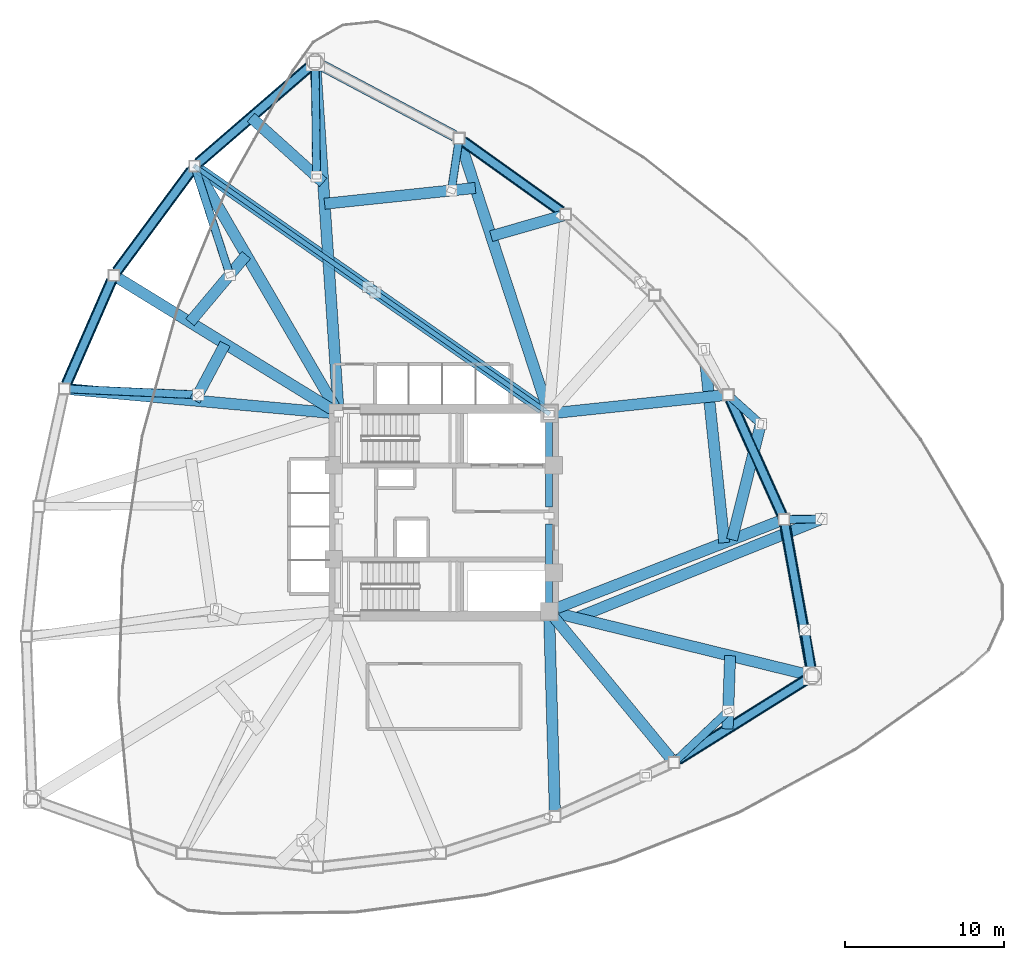
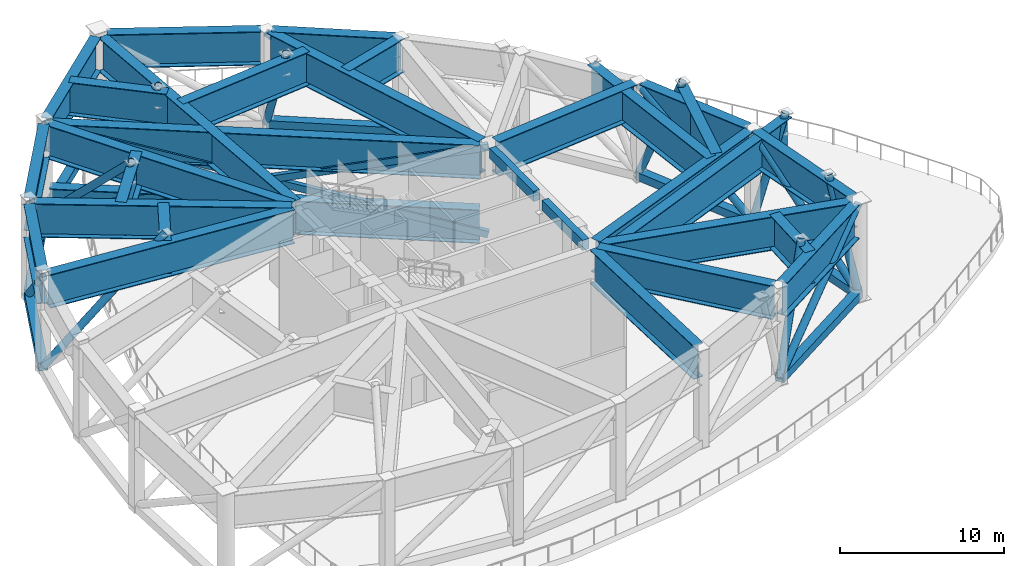
# One storey, part 2 of 8: 31 beams, 25 members.
"""IFC4 building model written with IfcOpenShell, lengths in metres."""

from ifc_helpers import new_model, si_unit, direction, frame, origin, origin_2d, place, context, subcontext, project, spatial, rectangle, hollow_rectangle, hollow_circle, i_section, extrude, material, material_profile, profile_set, type_object, element, save


model = new_model("IFC4")

# Units and contexts
model_context = context("Model", 3, precision=1e-05, world=origin(), true_north=direction((0.0, 1.0)))
body_context = subcontext(model_context, "Body", "Model", "MODEL_VIEW")
ifc_project = project(units=[si_unit("LENGTHUNIT", "METRE"), si_unit("AREAUNIT", "SQUARE_METRE"), si_unit("VOLUMEUNIT", "CUBIC_METRE"), si_unit("PLANEANGLEUNIT", "RADIAN"), si_unit("MASSUNIT", "GRAM", prefix="KILO")], contexts=[model_context])

# Site, building, storey
site_placement = place(None, origin())
site = spatial("IfcSite", under=ifc_project, at=site_placement, CompositionType="ELEMENT")
building_placement = place(site_placement, origin())
building = spatial("IfcBuilding", under=site, at=building_placement, Name="Tavelor Broadcast Tower", CompositionType="ELEMENT")
storey_placement = place(building_placement, frame((0.0, 0.0, 102.800048828125)))
storey = spatial("IfcBuildingStorey", under=building, at=storey_placement, Name="L24", CompositionType="ELEMENT", Elevation=102.800048828125)

# Beams
ifc_material_1 = material(Name="Concrete C40/50", Category="concrete")
ifc_material_profile_1 = material_profile(ifc_material_1, rectangle(XDim=0.449951171875, YDim=0.75, at=origin_2d()), Name="RC 450x750")
ifc_profile_set_1 = profile_set([ifc_material_profile_1], Name="Concrete C40/50")
beam_type_1 = type_object("IfcBeamType", Name="Basement Core Trim Beam 450x750", PredefinedType="BEAM", material=ifc_profile_set_1)
beam_1_placement = place(storey_placement, frame((56.60009765625, 45.327880859375, 6.925048828125), z_axis=(0.0, 1.0, 0.0), x_axis=(-1.0, 0.0, 0.0)))
element("IfcBeam", 1, at=beam_1_placement, inside=storey, type_object=beam_type_1, Name="L24 Core East-N Tie Girder", PredefinedType="BEAM", context=body_context, shape_type="SweptSolid", body=[
    extrude(rectangle(XDim=0.449951171875, YDim=0.75, at=origin_2d()), origin(), (0.0, 0.0, 1.0), 5.34423828125),
])
beam_2_placement = place(storey_placement, frame((56.60009765625, 39.327880859375, 6.925048828125), z_axis=(0.0, 1.0, 0.0), x_axis=(-1.0, 0.0, 0.0)))
element("IfcBeam", 2, at=beam_2_placement, inside=storey, type_object=beam_type_1, Name="L24 Core East-S Tie Girder", PredefinedType="BEAM", context=body_context, shape_type="SweptSolid", body=[
    extrude(rectangle(XDim=0.449951171875, YDim=0.75, at=origin_2d()), origin(), (0.0, 0.0, 1.0), 4.944091796875),
])
ifc_material_2 = material(Name="Steel S460", Category="steel")
ifc_material_profile_2 = material_profile(ifc_material_2, i_section(OverallWidth=0.699951171875, OverallDepth=2.5, WebThickness=0.031982421875, FlangeThickness=0.052001953125, at=origin_2d()), Name="PG 2500x700")
ifc_profile_set_2 = profile_set([ifc_material_profile_2], Name="Steel S460")
beam_type_2 = type_object("IfcBeamType", Name="Opposite Slide Transfer Girder HEB900", PredefinedType="BEAM", material=ifc_profile_set_2)
beam_3_placement = place(storey_placement, frame((41.535400390625, 72.931396484375, 6.050048828125), z_axis=(-0.756652037371, -0.653817783746, 0.0), x_axis=(0.653817783746, -0.756652037371, 0.0)))
element("IfcBeam", 3, at=beam_3_placement, inside=storey, type_object=beam_type_2, Name="L24 Framed-Tube Ring Spandrel 01", PredefinedType="BEAM", context=body_context, shape_type="SweptSolid", body=[
    extrude(i_section(OverallWidth=0.699951171875, OverallDepth=2.5, WebThickness=0.031982421875, FlangeThickness=0.052001953125, at=origin_2d()), origin(), (0.0, 0.0, 1.0), 9.15234375),
])
beam_4_placement = place(storey_placement, frame((34.156494140625, 66.45751953125, 6.050048828125), z_axis=(-0.59411824878, -0.804377713805, 0.0), x_axis=(0.804377713805, -0.59411824878, 0.0)))
element("IfcBeam", 4, at=beam_4_placement, inside=storey, type_object=beam_type_2, Name="L24 Framed-Tube Ring Spandrel 02", PredefinedType="BEAM", context=body_context, shape_type="SweptSolid", body=[
    extrude(i_section(OverallWidth=0.699951171875, OverallDepth=2.5, WebThickness=0.031982421875, FlangeThickness=0.052001953125, at=origin_2d()), origin(), (0.0, 0.0, 1.0), 7.8515625),
])
beam_5_placement = place(storey_placement, frame((29.157958984375, 59.5634765625, 6.050048828125), z_axis=(-0.399859236649, -0.916576560287, 0.0), x_axis=(0.916576560287, -0.399859236649, 0.0)))
element("IfcBeam", 5, at=beam_5_placement, inside=storey, type_object=beam_type_2, Name="L24 Framed-Tube Ring Spandrel 03", PredefinedType="BEAM", context=body_context, shape_type="SweptSolid", body=[
    extrude(i_section(OverallWidth=0.699951171875, OverallDepth=2.5, WebThickness=0.031982421875, FlangeThickness=0.052001953125, at=origin_2d()), origin(), (0.0, 0.0, 1.0), 7.088623046875),
])
beam_6_placement = place(storey_placement, frame((64.728271484375, 29.493408203125, 6.050048828125), z_axis=(0.847666386228, 0.530529638813, 0.0), x_axis=(-0.530529638813, 0.847666386228, 0.0)))
element("IfcBeam", 6, at=beam_6_placement, inside=storey, type_object=beam_type_2, Name="L24 Framed-Tube Ring Spandrel 12", PredefinedType="BEAM", context=body_context, shape_type="SweptSolid", body=[
    extrude(i_section(OverallWidth=0.699951171875, OverallDepth=2.5, WebThickness=0.031982421875, FlangeThickness=0.052001953125, at=origin_2d()), origin(), (0.0, 0.0, 1.0), 9.385009765625),
])
beam_7_placement = place(storey_placement, frame((73.02685546875, 35.248046875, 6.050048828125), z_axis=(-0.177746542691, 0.984076301189, 0.0), x_axis=(-0.984076301189, -0.177746542691, 0.0)))
element("IfcBeam", 7, at=beam_7_placement, inside=storey, type_object=beam_type_2, Name="L24 Framed-Tube Ring Spandrel 13", PredefinedType="BEAM", context=body_context, shape_type="SweptSolid", body=[
    extrude(i_section(OverallWidth=0.699951171875, OverallDepth=2.5, WebThickness=0.031982421875, FlangeThickness=0.052001953125, at=origin_2d()), origin(), (0.0, 0.0, 1.0), 9.13134765625),
])
beam_8_placement = place(storey_placement, frame((71.206787109375, 44.87109375, 6.050048828125), z_axis=(-0.408951132019, 0.912556284084, 0.0), x_axis=(-0.912556284084, -0.408951132019, 0.0)))
element("IfcBeam", 8, at=beam_8_placement, inside=storey, type_object=beam_type_2, Name="L24 Framed-Tube Ring Spandrel 14", PredefinedType="BEAM", context=body_context, shape_type="SweptSolid", body=[
    extrude(i_section(OverallWidth=0.699951171875, OverallDepth=2.5, WebThickness=0.031982421875, FlangeThickness=0.052001953125, at=origin_2d()), origin(), (0.0, 0.0, 1.0), 7.895263671875),
])
beam_9_placement = place(storey_placement, frame((57.361572265625, 63.893310546875, 6.050048828125), z_axis=(-0.813492458128, 0.581575464208, 0.0), x_axis=(-0.581575464208, -0.813492458128, 0.0)))
element("IfcBeam", 9, at=beam_9_placement, inside=storey, type_object=beam_type_2, Name="L24 Framed-Tube Ring Spandrel 17", PredefinedType="BEAM", context=body_context, shape_type="SweptSolid", body=[
    extrude(i_section(OverallWidth=0.699951171875, OverallDepth=2.5, WebThickness=0.031982421875, FlangeThickness=0.052001953125, at=origin_2d()), origin(), (0.0, 0.0, 1.0), 7.531005859375),
])
beam_10_placement = place(storey_placement, frame((50.6650390625, 68.626220703125, 6.050048828125), z_axis=(-0.883288784051, 0.468829312192, 0.0), x_axis=(-0.468829312192, -0.883288784051, 0.0)))
element("IfcBeam", 10, at=beam_10_placement, inside=storey, type_object=beam_type_2, Name="L24 Framed-Tube Ring Spandrel 18", PredefinedType="BEAM", context=body_context, shape_type="SweptSolid", body=[
    extrude(i_section(OverallWidth=0.699951171875, OverallDepth=2.5, WebThickness=0.031982421875, FlangeThickness=0.052001953125, at=origin_2d()), origin(), (0.0, 0.0, 1.0), 9.384765625),
])
beam_11_placement = place(storey_placement, frame((43.36474609375, 51.726806640625, 6.050048828125), z_axis=(-0.066782727419, 0.997767541724, 0.0), x_axis=(-0.997767541724, -0.066782727419, 0.0)))
element("IfcBeam", 11, at=beam_11_placement, inside=storey, type_object=beam_type_2, Name="L24 Radial Primary Floor Girder 01", PredefinedType="BEAM", context=body_context, shape_type="SweptSolid", body=[
    extrude(i_section(OverallWidth=0.699951171875, OverallDepth=2.5, WebThickness=0.031982421875, FlangeThickness=0.052001953125, at=origin_2d()), origin(), (0.0, 0.0, 1.0), 21.075439453125),
])
beam_12_placement = place(storey_placement, frame((43.13427734375, 51.65625, 6.050048828125), z_axis=(-0.503292320279, 0.864116219237, 0.0), x_axis=(-0.864116219237, -0.503292320279, 0.0)))
element("IfcBeam", 12, at=beam_12_placement, inside=storey, type_object=beam_type_2, Name="L24 Radial Primary Floor Girder 02", PredefinedType="BEAM", context=body_context, shape_type="SweptSolid", body=[
    extrude(i_section(OverallWidth=0.699951171875, OverallDepth=2.5, WebThickness=0.031982421875, FlangeThickness=0.052001953125, at=origin_2d()), origin(), (0.0, 0.0, 1.0), 17.105712890625),
])
beam_13_placement = place(storey_placement, frame((42.9501953125, 51.4765625, 6.050048828125), z_axis=(-0.851937509834, 0.523643465859, 0.0), x_axis=(-0.523643465859, -0.851937509834, 0.0)))
element("IfcBeam", 13, at=beam_13_placement, inside=storey, type_object=beam_type_2, Name="L24 Radial Primary Floor Girder 03", PredefinedType="BEAM", context=body_context, shape_type="SweptSolid", body=[
    extrude(i_section(OverallWidth=0.699951171875, OverallDepth=2.5, WebThickness=0.031982421875, FlangeThickness=0.052001953125, at=origin_2d()), origin(), (0.0, 0.0, 1.0), 15.69580078125),
])
beam_14_placement = place(storey_placement, frame((42.874267578125, 51.24755859375, 6.050048828125), z_axis=(-0.99592702313, 0.090162989073, 0.0), x_axis=(-0.090162989073, -0.99592702313, 0.0)))
element("IfcBeam", 14, at=beam_14_placement, inside=storey, type_object=beam_type_2, Name="L24 Radial Primary Floor Girder 04", PredefinedType="BEAM", context=body_context, shape_type="SweptSolid", body=[
    extrude(i_section(OverallWidth=0.699951171875, OverallDepth=2.5, WebThickness=0.031982421875, FlangeThickness=0.052001953125, at=origin_2d()), origin(), (0.0, 0.0, 1.0), 16.417236328125),
])
beam_15_placement = place(storey_placement, frame((56.615478515625, 38.272216796875, 6.050048828125), z_axis=(0.029126279866, -0.999575739912, 0.0), x_axis=(0.999575739912, 0.029126279866, 0.0)))
element("IfcBeam", 15, at=beam_15_placement, inside=storey, type_object=beam_type_2, Name="L24 Radial Primary Floor Girder 11", PredefinedType="BEAM", context=body_context, shape_type="SweptSolid", body=[
    extrude(i_section(OverallWidth=0.699951171875, OverallDepth=2.5, WebThickness=0.031982421875, FlangeThickness=0.052001953125, at=origin_2d()), origin(), (0.0, 0.0, 1.0), 12.02001953125),
])
beam_16_placement = place(storey_placement, frame((56.9365234375, 38.39306640625, 6.050048828125), z_axis=(0.637277760564, -0.770634190709, 0.0), x_axis=(0.770634190709, 0.637277760564, 0.0)))
element("IfcBeam", 16, at=beam_16_placement, inside=storey, type_object=beam_type_2, Name="L24 Radial Primary Floor Girder 12", PredefinedType="BEAM", context=body_context, shape_type="SweptSolid", body=[
    extrude(i_section(OverallWidth=0.699951171875, OverallDepth=2.5, WebThickness=0.031982421875, FlangeThickness=0.052001953125, at=origin_2d()), origin(), (0.0, 0.0, 1.0), 11.44384765625),
])
beam_17_placement = place(storey_placement, frame((57.11279296875, 38.674072265625, 6.050048828125), z_axis=(0.971151145926, -0.238464780979, 0.0), x_axis=(0.238464780979, 0.971151145926, 0.0)))
element("IfcBeam", 17, at=beam_17_placement, inside=storey, type_object=beam_type_2, Name="L24 Radial Primary Floor Girder 13", PredefinedType="BEAM", context=body_context, shape_type="SweptSolid", body=[
    extrude(i_section(OverallWidth=0.699951171875, OverallDepth=2.5, WebThickness=0.031982421875, FlangeThickness=0.052001953125, at=origin_2d()), origin(), (0.0, 0.0, 1.0), 15.96826171875),
])
beam_18_placement = place(storey_placement, frame((57.091796875, 38.9921875, 6.050048828125), z_axis=(0.931341899941, 0.36414593972, 0.0), x_axis=(-0.36414593972, 0.931341899941, 0.0)))
element("IfcBeam", 18, at=beam_18_placement, inside=storey, type_object=beam_type_2, Name="L24 Radial Primary Floor Girder 14", PredefinedType="BEAM", context=body_context, shape_type="SweptSolid", body=[
    extrude(i_section(OverallWidth=0.699951171875, OverallDepth=2.5, WebThickness=0.031982421875, FlangeThickness=0.052001953125, at=origin_2d()), origin(), (0.0, 0.0, 1.0), 14.967041015625),
])
beam_19_placement = place(storey_placement, frame((57.125, 51.255126953125, 6.050048828125), z_axis=(0.994510577777, 0.104636086941, 0.0), x_axis=(-0.104636086941, 0.994510577777, 0.0)))
element("IfcBeam", 19, at=beam_19_placement, inside=storey, type_object=beam_type_2, Name="L24 Radial Primary Floor Girder 15", PredefinedType="BEAM", context=body_context, shape_type="SweptSolid", body=[
    extrude(i_section(OverallWidth=0.699951171875, OverallDepth=2.5, WebThickness=0.031982421875, FlangeThickness=0.052001953125, at=origin_2d()), origin(), (0.0, 0.0, 1.0), 10.43896484375),
])
beam_20_placement = place(storey_placement, frame((56.43603515625, 51.701904296875, 6.050048828125), z_axis=(-0.310367170997, 0.950616757251, 0.0), x_axis=(-0.950616757251, -0.310367170997, 0.0)))
element("IfcBeam", 20, at=beam_20_placement, inside=storey, type_object=beam_type_2, Name="L24 Radial Primary Floor Girder 18", PredefinedType="BEAM", context=body_context, shape_type="SweptSolid", body=[
    extrude(i_section(OverallWidth=0.699951171875, OverallDepth=2.5, WebThickness=0.031982421875, FlangeThickness=0.052001953125, at=origin_2d()), origin(), (0.0, 0.0, 1.0), 17.3017578125),
])
beam_21_placement = place(storey_placement, frame((42.42919921875, 65.70361328125, 6.050048828125), z_axis=(-0.743152854728, 0.669121688865, 0.0), x_axis=(-0.669121688865, -0.743152854728, 0.0)))
element("IfcBeam", 21, at=beam_21_placement, inside=storey, type_object=beam_type_2, Name="L24 Transfer Header Girder 01", PredefinedType="BEAM", context=body_context, shape_type="SweptSolid", body=[
    extrude(i_section(OverallWidth=0.699951171875, OverallDepth=2.5, WebThickness=0.031982421875, FlangeThickness=0.052001953125, at=origin_2d()), origin(), (0.0, 0.0, 1.0), 6.100830078125),
])
beam_22_placement = place(storey_placement, frame((34.0703125, 56.9345703125, 6.050048828125), z_axis=(0.64280893078, 0.766026552092, 0.0), x_axis=(-0.766026552092, 0.64280893078, 0.0)))
element("IfcBeam", 22, at=beam_22_placement, inside=storey, type_object=beam_type_2, Name="L24 Transfer Header Girder 02", PredefinedType="BEAM", context=body_context, shape_type="SweptSolid", body=[
    extrude(i_section(OverallWidth=0.699951171875, OverallDepth=2.5, WebThickness=0.031982421875, FlangeThickness=0.052001953125, at=origin_2d()), origin(), (0.0, 0.0, 1.0), 5.500244140625),
])
beam_23_placement = place(storey_placement, frame((34.382080078125, 52.016357421875, 6.050048828125), z_axis=(0.469463433508, 0.882951915225, 0.0), x_axis=(-0.882951915225, 0.469463433508, 0.0)))
element("IfcBeam", 23, at=beam_23_placement, inside=storey, type_object=beam_type_2, Name="L24 Transfer Header Girder 03", PredefinedType="BEAM", context=body_context, shape_type="SweptSolid", body=[
    extrude(i_section(OverallWidth=0.699951171875, OverallDepth=2.5, WebThickness=0.031982421875, FlangeThickness=0.052001953125, at=origin_2d()), origin(), (0.0, 0.0, 1.0), 4.034423828125),
])
beam_24_placement = place(storey_placement, frame((67.803466796875, 31.41796875, 6.050048828125), z_axis=(0.034859429991, 0.999392225375, 0.0), x_axis=(-0.999392225375, 0.034859429991, 0.0)))
element("IfcBeam", 24, at=beam_24_placement, inside=storey, type_object=beam_type_2, Name="L24 Transfer Header Girder 11", PredefinedType="BEAM", context=body_context, shape_type="SweptSolid", body=[
    extrude(i_section(OverallWidth=0.699951171875, OverallDepth=2.5, WebThickness=0.031982421875, FlangeThickness=0.052001953125, at=origin_2d()), origin(), (0.0, 0.0, 1.0), 4.59423828125),
])
beam_25_placement = place(storey_placement, frame((68.07666015625, 43.287109375, 6.050048828125), z_axis=(0.241928085432, 0.970294182956, 0.0), x_axis=(-0.970294182956, 0.241928085432, 0.0)))
element("IfcBeam", 25, at=beam_25_placement, inside=storey, type_object=beam_type_2, Name="L24 Cantilever Transfer Girder 14", PredefinedType="BEAM", context=body_context, shape_type="SweptSolid", body=[
    extrude(i_section(OverallWidth=0.699951171875, OverallDepth=2.5, WebThickness=0.031982421875, FlangeThickness=0.052001953125, at=origin_2d()), origin(), (0.0, 0.0, 1.0), 7.659423828125),
])
beam_26_placement = place(storey_placement, frame((52.96533203125, 62.332275390625, 6.050048828125), z_axis=(0.961271175296, 0.275604295224, 0.0), x_axis=(-0.275604295224, 0.961271175296, 0.0)))
element("IfcBeam", 26, at=beam_26_placement, inside=storey, type_object=beam_type_2, Name="L24 Transfer Header Girder 17", PredefinedType="BEAM", context=body_context, shape_type="SweptSolid", body=[
    extrude(i_section(OverallWidth=0.699951171875, OverallDepth=2.5, WebThickness=0.031982421875, FlangeThickness=0.052001953125, at=origin_2d()), origin(), (0.0, 0.0, 1.0), 4.855224609375),
])
ifc_material_profile_3 = material_profile(ifc_material_2, i_section(OverallWidth=0.699951171875, OverallDepth=2.5, WebThickness=0.031982421875, FlangeThickness=0.052001953125, at=origin_2d()), Name="PG 2500x700")
ifc_profile_set_3 = profile_set([ifc_material_profile_3], Name="Steel S460")
beam_type_3 = type_object("IfcBeamType", Name="Podium Studio Transfer Truss Chord HEB1000", PredefinedType="BEAM", material=ifc_profile_set_3)
beam_27_placement = place(storey_placement, frame((58.32373046875, 38.376708984375, 6.050048828125), z_axis=(0.927182512536, 0.374609915042, 0.0), x_axis=(-0.374609915042, 0.927182512536, 0.0)))
element("IfcBeam", 27, at=beam_27_placement, inside=storey, type_object=beam_type_3, Name="L24 Cantilever Transfer Girder 13", PredefinedType="BEAM", context=body_context, shape_type="SweptSolid", body=[
    extrude(i_section(OverallWidth=0.699951171875, OverallDepth=2.5, WebThickness=0.031982421875, FlangeThickness=0.052001953125, at=origin_2d()), origin(), (0.0, 0.0, 1.0), 16.738037109375),
])
beam_28_placement = place(storey_placement, frame((67.5966796875, 43.099609375, 6.050048828125), z_axis=(-0.104533830566, 0.994521331228, 0.0), x_axis=(-0.994521331228, -0.104533830566, 0.0)))
element("IfcBeam", 28, at=beam_28_placement, inside=storey, type_object=beam_type_3, Name="L24 Cantilever Transfer Girder 15", PredefinedType="BEAM", context=body_context, shape_type="SweptSolid", body=[
    extrude(i_section(OverallWidth=0.699951171875, OverallDepth=2.5, WebThickness=0.031982421875, FlangeThickness=0.052001953125, at=origin_2d()), origin(), (0.0, 0.0, 1.0), 12.3759765625),
])
beam_29_placement = place(storey_placement, frame((42.518798828125, 64.3662109375, 6.050048828125), z_axis=(0.994521196339, 0.104535113874, 0.0), x_axis=(-0.104535113874, 0.994521196339, 0.0)))
element("IfcBeam", 29, at=beam_29_placement, inside=storey, type_object=beam_type_3, Name="L24 Transfer Header Girder 18", PredefinedType="BEAM", context=body_context, shape_type="SweptSolid", body=[
    extrude(i_section(OverallWidth=0.699951171875, OverallDepth=2.5, WebThickness=0.031982421875, FlangeThickness=0.052001953125, at=origin_2d()), origin(), (0.0, 0.0, 1.0), 9.510009765625),
])

# Members
ifc_material_profile_4 = material_profile(ifc_material_2, hollow_rectangle(XDim=0.60009765625, YDim=0.60009765625, WallThickness=0.035888671875, at=origin_2d()), Name="SHS 600x600x36")
ifc_profile_set_4 = profile_set([ifc_material_profile_4], Name="Steel S460")
member_type_1 = type_object("IfcMemberType", Name="Wind Floor Belt Truss Chord Member SHS600", PredefinedType="CHORD", material=ifc_profile_set_4)
member_1_placement = place(storey_placement, frame((41.923095703125, 73.266357421875, 0.349853515625), z_axis=(-0.756648422475, -0.653821967179, 0.0), x_axis=(0.653821967179, -0.756648422475, 0.0)))
element("IfcMember", 30, at=member_1_placement, inside=storey, type_object=member_type_1, Name="L24 Belt Truss Lower Chord Member 01", PredefinedType="CHORD", context=body_context, shape_type="SweptSolid", body=[
    extrude(hollow_rectangle(XDim=0.60009765625, YDim=0.60009765625, WallThickness=0.035888671875, at=origin_2d()), origin(), (0.0, 0.0, 1.0), 10.00048828125),
])
member_2_placement = place(storey_placement, frame((34.356201171875, 66.727783203125, 0.349853515625), z_axis=(-0.594113174467, -0.804381461699, 0.0), x_axis=(0.804381461699, -0.594113174467, 0.0)))
element("IfcMember", 31, at=member_2_placement, inside=storey, type_object=member_type_1, Name="L24 Belt Truss Lower Chord Member 02", PredefinedType="CHORD", context=body_context, shape_type="SweptSolid", body=[
    extrude(hollow_rectangle(XDim=0.60009765625, YDim=0.60009765625, WallThickness=0.035888671875, at=origin_2d()), origin(), (0.0, 0.0, 1.0), 8.523681640625),
])
member_3_placement = place(storey_placement, frame((29.292236328125, 59.87158203125, 0.349853515625), z_axis=(-0.39984162919, -0.916584241391, 0.0), x_axis=(0.916584241391, -0.39984162919, 0.0)))
element("IfcMember", 32, at=member_3_placement, inside=storey, type_object=member_type_1, Name="L24 Belt Truss Lower Chord Member 03", PredefinedType="CHORD", context=body_context, shape_type="SweptSolid", body=[
    extrude(hollow_rectangle(XDim=0.60009765625, YDim=0.60009765625, WallThickness=0.035888671875, at=origin_2d()), origin(), (0.0, 0.0, 1.0), 7.7607421875),
])
member_4_placement = place(storey_placement, frame((64.443603515625, 29.31494140625, 0.349853515625), z_axis=(0.847668419443, 0.530526390182, 0.0), x_axis=(-0.530526390182, 0.847668419443, 0.0)))
element("IfcMember", 33, at=member_4_placement, inside=storey, type_object=member_type_1, Name="L24 Belt Truss Lower Chord Member 12", PredefinedType="CHORD", context=body_context, shape_type="SweptSolid", body=[
    extrude(hollow_rectangle(XDim=0.60009765625, YDim=0.60009765625, WallThickness=0.035888671875, at=origin_2d()), origin(), (0.0, 0.0, 1.0), 10.233154296875),
])
member_5_placement = place(storey_placement, frame((73.117919921875, 34.743896484375, 0.349853515625), z_axis=(-0.177752945874, 0.984075144607, 0.0), x_axis=(-0.984075144607, -0.177752945874, 0.0)))
element("IfcMember", 34, at=member_5_placement, inside=storey, type_object=member_type_1, Name="L24 Belt Truss Lower Chord Member 13", PredefinedType="CHORD", context=body_context, shape_type="SweptSolid", body=[
    extrude(hollow_rectangle(XDim=0.60009765625, YDim=0.60009765625, WallThickness=0.035888671875, at=origin_2d()), origin(), (0.0, 0.0, 1.0), 9.979736328125),
])
member_6_placement = place(storey_placement, frame((71.343994140625, 44.564697265625, 0.349853515625), z_axis=(-0.408920885795, 0.912569837963, 0.0), x_axis=(-0.912569837963, -0.408920885795, 0.0)))
element("IfcMember", 35, at=member_6_placement, inside=storey, type_object=member_type_1, Name="L24 Belt Truss Lower Chord Member 14", PredefinedType="CHORD", context=body_context, shape_type="SweptSolid", body=[
    extrude(hollow_rectangle(XDim=0.60009765625, YDim=0.60009765625, WallThickness=0.035888671875, at=origin_2d()), origin(), (0.0, 0.0, 1.0), 8.56689453125),
])
member_7_placement = place(storey_placement, frame((57.634765625, 63.69775390625, 0.349853515625), z_axis=(-0.813477995292, 0.581595693912, 0.0), x_axis=(-0.581595693912, -0.813477995292, 0.0)))
element("IfcMember", 36, at=member_7_placement, inside=storey, type_object=member_type_1, Name="L24 Belt Truss Lower Chord Member 17", PredefinedType="CHORD", context=body_context, shape_type="SweptSolid", body=[
    extrude(hollow_rectangle(XDim=0.60009765625, YDim=0.60009765625, WallThickness=0.035888671875, at=origin_2d()), origin(), (0.0, 0.0, 1.0), 8.202880859375),
])
ifc_material_profile_5 = material_profile(ifc_material_2, hollow_circle(Radius=0.25390625, WallThickness=0.02490234375, at=origin_2d()), Name="CHS 508x25")
ifc_profile_set_5 = profile_set([ifc_material_profile_5], Name="Steel S460")
member_type_2 = type_object("IfcMemberType", Name="Wind Floor Belt Truss Diagonal CHS508", PredefinedType="BRACE", material=ifc_profile_set_5)
member_8_placement = place(storey_placement, frame((41.923095703125, 73.266357421875, 0.349853515625), z_axis=(-0.630059999895, -0.544436565696, 0.553726667649), x_axis=(0.653821967179, -0.756648422475, 0.0)))
element("IfcMember", 37, at=member_8_placement, inside=storey, type_object=member_type_2, Name="L24 Belt Truss Web Diagonal 01", PredefinedType="BRACE", context=body_context, shape_type="SweptSolid", body=[
    extrude(hollow_circle(Radius=0.25390625, WallThickness=0.02490234375, at=origin_2d()), origin(), (0.0, 0.0, 1.0), 12.009765625),
])
member_9_placement = place(storey_placement, frame((34.356201171875, 66.727783203125, 0.349853515625), z_axis=(-0.468412635355, -0.634193040144, 0.615133148897), x_axis=(0.804381461699, -0.594113174467, 0.0)))
element("IfcMember", 38, at=member_9_placement, inside=storey, type_object=member_type_2, Name="L24 Belt Truss Web Diagonal 02", PredefinedType="BRACE", context=body_context, shape_type="SweptSolid", body=[
    extrude(hollow_circle(Radius=0.25390625, WallThickness=0.02490234375, at=origin_2d()), origin(), (0.0, 0.0, 1.0), 10.810791015625),
])
member_10_placement = place(storey_placement, frame((29.292236328125, 59.87158203125, 0.349853515625), z_axis=(-0.303617799658, -0.696003793143, 0.65068806018), x_axis=(0.916584241391, -0.39984162919, 0.0)))
element("IfcMember", 39, at=member_10_placement, inside=storey, type_object=member_type_2, Name="L24 Belt Truss Web Diagonal 03", PredefinedType="BRACE", context=body_context, shape_type="SweptSolid", body=[
    extrude(hollow_circle(Radius=0.25390625, WallThickness=0.02490234375, at=origin_2d()), origin(), (0.0, 0.0, 1.0), 10.22021484375),
])
member_11_placement = place(storey_placement, frame((64.443603515625, 29.31494140625, 0.349853515625), z_axis=(0.710766596205, 0.444844266812, 0.544907720631), x_axis=(-0.530526390182, 0.847668419443, 0.0)))
element("IfcMember", 40, at=member_11_placement, inside=storey, type_object=member_type_2, Name="L24 Belt Truss Web Diagonal 12", PredefinedType="BRACE", context=body_context, shape_type="SweptSolid", body=[
    extrude(hollow_circle(Radius=0.25390625, WallThickness=0.02490234375, at=origin_2d()), origin(), (0.0, 0.0, 1.0), 12.2041015625),
])
member_12_placement = place(storey_placement, frame((73.117919921875, 34.743896484375, 0.349853515625), z_axis=(-0.14791994136, 0.818913784911, 0.554526738607), x_axis=(-0.984075144607, -0.177752945874, 0.0)))
element("IfcMember", 41, at=member_12_placement, inside=storey, type_object=member_type_2, Name="L24 Belt Truss Web Diagonal 13", PredefinedType="BRACE", context=body_context, shape_type="SweptSolid", body=[
    extrude(hollow_circle(Radius=0.25390625, WallThickness=0.02490234375, at=origin_2d()), origin(), (0.0, 0.0, 1.0), 11.992431640625),
])
member_13_placement = place(storey_placement, frame((71.343994140625, 44.564697265625, 0.349853515625), z_axis=(-0.323019607062, 0.720867925105, 0.613194722751), x_axis=(-0.912569837963, -0.408920885795, 0.0)))
element("IfcMember", 42, at=member_13_placement, inside=storey, type_object=member_type_2, Name="L24 Belt Truss Web Diagonal 14", PredefinedType="BRACE", context=body_context, shape_type="SweptSolid", body=[
    extrude(hollow_circle(Radius=0.25390625, WallThickness=0.02490234375, at=origin_2d()), origin(), (0.0, 0.0, 1.0), 10.844970703125),
])
member_14_placement = place(storey_placement, frame((57.634765625, 63.69775390625, 0.349853515625), z_axis=(-0.631904855944, 0.451780066955, 0.629754733318), x_axis=(-0.581595693912, -0.813477995292, 0.0)))
element("IfcMember", 43, at=member_14_placement, inside=storey, type_object=member_type_2, Name="L24 Belt Truss Web Diagonal 17", PredefinedType="BRACE", context=body_context, shape_type="SweptSolid", body=[
    extrude(hollow_circle(Radius=0.25390625, WallThickness=0.02490234375, at=origin_2d()), origin(), (0.0, 0.0, 1.0), 10.559814453125),
])
member_15_placement = place(storey_placement, frame((41.923095703125, 73.266357421875, 0.349853515625), z_axis=(0.00863349336, -0.703952567997, 0.710194511949), x_axis=(0.999924801818, 0.01226338894, 0.0)))
element("IfcMember", 44, at=member_15_placement, inside=storey, type_object=member_type_2, Name="L24 Slide Transfer Raking Strut 01", PredefinedType="BRACE", context=body_context, shape_type="SweptSolid", body=[
    extrude(hollow_circle(Radius=0.25390625, WallThickness=0.02490234375, at=origin_2d()), origin(), (0.0, 0.0, 1.0), 10.20849609375),
])
member_16_placement = place(storey_placement, frame((34.356201171875, 66.727783203125, 0.349853515625), z_axis=(0.216925031733, -0.668712481902, 0.7111730782), x_axis=(0.951203904532, 0.308563011398, 0.0)))
element("IfcMember", 45, at=member_16_placement, inside=storey, type_object=member_type_2, Name="L24 Slide Transfer Raking Strut 02", PredefinedType="BRACE", context=body_context, shape_type="SweptSolid", body=[
    extrude(hollow_circle(Radius=0.25390625, WallThickness=0.02490234375, at=origin_2d()), origin(), (0.0, 0.0, 1.0), 10.1943359375),
])
member_17_placement = place(storey_placement, frame((26.189208984375, 52.75830078125, 0.349853515625), z_axis=(0.75604415702, -0.03416054417, 0.653628556489), x_axis=(0.045137214947, 0.998980796526, 0.0)))
element("IfcMember", 46, at=member_17_placement, inside=storey, type_object=member_type_2, Name="L24 Slide Transfer Raking Strut 03", PredefinedType="BRACE", context=body_context, shape_type="SweptSolid", body=[
    extrude(hollow_circle(Radius=0.25390625, WallThickness=0.02490234375, at=origin_2d()), origin(), (0.0, 0.0, 1.0), 11.092041015625),
])
member_18_placement = place(storey_placement, frame((64.443603515625, 29.31494140625, 0.349853515625), z_axis=(0.393862944115, 0.372784868304, 0.840180589645), x_axis=(-0.687405956224, 0.726273399863, 0.0)))
element("IfcMember", 47, at=member_18_placement, inside=storey, type_object=member_type_2, Name="L24 Slide Transfer Raking Strut 11", PredefinedType="BRACE", context=body_context, shape_type="SweptSolid", body=[
    extrude(hollow_circle(Radius=0.25390625, WallThickness=0.02490234375, at=origin_2d()), origin(), (0.0, 0.0, 1.0), 8.629150390625),
])
member_19_placement = place(storey_placement, frame((73.117919921875, 34.743896484375, 0.349853515625), z_axis=(-0.058748806269, 0.366718865739, 0.928475013812), x_axis=(-0.987409618007, -0.158184216236, 0.0)))
element("IfcMember", 48, at=member_19_placement, inside=storey, type_object=member_type_2, Name="L24 Slide Transfer Raking Strut 12", PredefinedType="BRACE", context=body_context, shape_type="SweptSolid", body=[
    extrude(hollow_circle(Radius=0.25390625, WallThickness=0.02490234375, at=origin_2d()), origin(), (0.0, 0.0, 1.0), 7.80859375),
])
member_20_placement = place(storey_placement, frame((71.343994140625, 44.564697265625, 0.349853515625), z_axis=(0.306207823406, 0.001955472909, 0.951962680472), x_axis=(-0.006385966937, 0.999979609505, 0.0)))
element("IfcMember", 49, at=member_20_placement, inside=storey, type_object=member_type_2, Name="L24 Slide Transfer Raking Strut 13", PredefinedType="BRACE", context=body_context, shape_type="SweptSolid", body=[
    extrude(hollow_circle(Radius=0.25390625, WallThickness=0.02490234375, at=origin_2d()), origin(), (0.0, 0.0, 1.0), 7.615966796875),
])
member_21_placement = place(storey_placement, frame((67.8408203125, 52.382568359375, 0.349853515625), z_axis=(0.263755543918, -0.2370871727, 0.934998762349), x_axis=(0.668508446596, 0.743704549421, 0.0)))
element("IfcMember", 50, at=member_21_placement, inside=storey, type_object=member_type_2, Name="L24 Slide Transfer Raking Strut 14", PredefinedType="BRACE", context=body_context, shape_type="SweptSolid", body=[
    extrude(hollow_circle(Radius=0.25390625, WallThickness=0.02490234375, at=origin_2d()), origin(), (0.0, 0.0, 1.0), 7.75390625),
])
member_22_placement = place(storey_placement, frame((50.9619140625, 68.468505859375, 0.349853515625), z_axis=(-0.061442101893, -0.409991960713, 0.910017285696), x_axis=(0.988956404852, -0.148206711393, 0.0)))
element("IfcMember", 51, at=member_22_placement, inside=storey, type_object=member_type_2, Name="L24 Slide Transfer Raking Strut 18", PredefinedType="BRACE", context=body_context, shape_type="SweptSolid", body=[
    extrude(hollow_circle(Radius=0.25390625, WallThickness=0.02490234375, at=origin_2d()), origin(), (0.0, 0.0, 1.0), 7.966796875),
])

# Beams
ifc_material_profile_6 = material_profile(ifc_material_2, i_section(OverallWidth=0.699951171875, OverallDepth=2.5, WebThickness=0.031982421875, FlangeThickness=0.052001953125, at=origin_2d()), Name="PG 2500x700")
ifc_profile_set_6 = profile_set([ifc_material_profile_6], Name="Steel S460")
beam_type_4 = type_object("IfcBeamType", Name="Wind Floor Outrigger Truss Chord HEB1000", PredefinedType="BEAM", material=ifc_profile_set_6)
for number, where, z_axis, x_axis, name in (
    (52, (56.1669921875, 51.502197265625, 6.050048828125), (-0.81997495952, 0.57239939357, 0.0), (-0.57239939357, -0.81997495952, 0.0), "L24 Outrigger Truss Top Chord 2"),
    (53, (56.1669921875, 51.502197265625, 1.25), (-0.81997495952, 0.57239939357, 0.0), (-0.57239939357, -0.81997495952, 0.0), "L24 Outrigger Truss Bottom Chord 2"),
):
    element("IfcBeam", number, at=place(storey_placement, frame(where, z_axis=z_axis, x_axis=x_axis)), inside=storey, type_object=beam_type_4, Name=name, PredefinedType="BEAM", context=body_context, shape_type="SweptSolid", body=[
        extrude(i_section(OverallWidth=0.699951171875, OverallDepth=2.5, WebThickness=0.031982421875, FlangeThickness=0.052001953125, at=origin_2d()), origin(), (0.0, 0.0, 1.0), 26.263427734375),
    ])

# Members
ifc_material_profile_7 = material_profile(ifc_material_2, hollow_rectangle(XDim=0.300048828125, YDim=0.5, WallThickness=0.02490234375, at=origin_2d()), Name="RHS 500x300x25")
ifc_profile_set_7 = profile_set([ifc_material_profile_7], Name="Steel S460")
member_type_3 = type_object("IfcMemberType", Name="Wind Floor Outrigger Truss Diagonal RHS500", PredefinedType="BRACE", material=ifc_profile_set_7)
member_23_placement = place(storey_placement, frame((56.60009765625, 51.199951171875, 0.550048828125), z_axis=(-0.797403154078, 0.556644482068, 0.233013155099), x_axis=(-0.572400620256, -0.819974103207, 0.0)))
element("IfcMember", 54, at=member_23_placement, inside=storey, type_object=member_type_3, Name="L24 Outrigger Truss Diagonal 2A", PredefinedType="BRACE", context=body_context, shape_type="SweptSolid", body=[
    extrude(hollow_rectangle(XDim=0.300048828125, YDim=0.5, WallThickness=0.02490234375, at=origin_2d()), origin(), (0.0, 0.0, 1.0), 27.8955078125),
])
member_24_placement = place(storey_placement, frame((34.356201171875, 66.727783203125, 0.550048828125), z_axis=(0.797406103871, -0.556643564443, 0.233005252459), x_axis=(0.572398562138, 0.819975539917, 0.0)))
element("IfcMember", 55, at=member_24_placement, inside=storey, type_object=member_type_3, Name="L24 Outrigger Truss Lower Half-Diagonal 2B1", PredefinedType="BRACE", context=body_context, shape_type="SweptSolid", body=[
    extrude(hollow_rectangle(XDim=0.300048828125, YDim=0.5, WallThickness=0.02490234375, at=origin_2d()), origin(), (0.0, 0.0, 1.0), 13.62744140625),
])
member_25_placement = place(storey_placement, frame((45.733154296875, 58.785888671875, 3.87451171875), z_axis=(0.797401346967, -0.556645652826, 0.233016542428), x_axis=(0.572402301889, 0.819972929305, 0.0)))
element("IfcMember", 56, at=member_25_placement, inside=storey, type_object=member_type_3, Name="L24 Outrigger Truss Upper Half-Diagonal 2B2", PredefinedType="BRACE", context=body_context, shape_type="SweptSolid", body=[
    extrude(hollow_rectangle(XDim=0.300048828125, YDim=0.5, WallThickness=0.02490234375, at=origin_2d()), origin(), (0.0, 0.0, 1.0), 13.6279296875),
])

save(model, "model.ifc")
